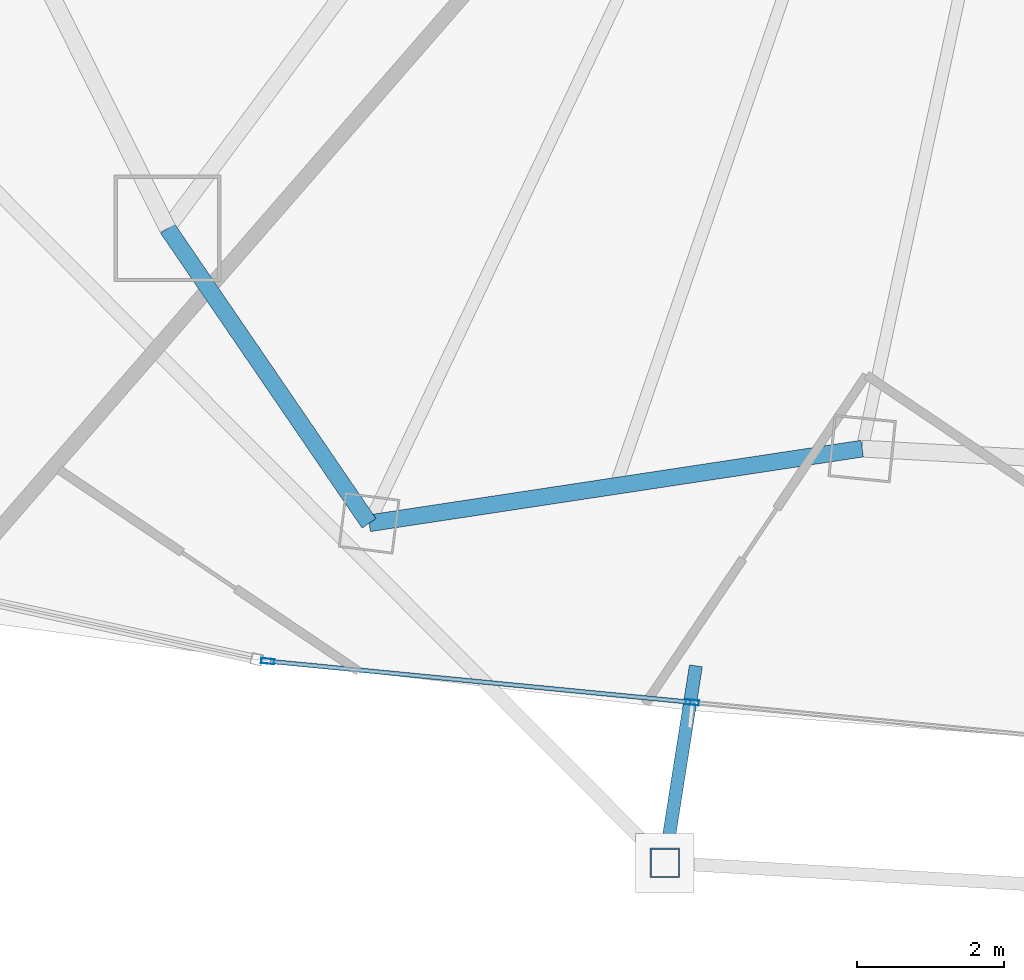
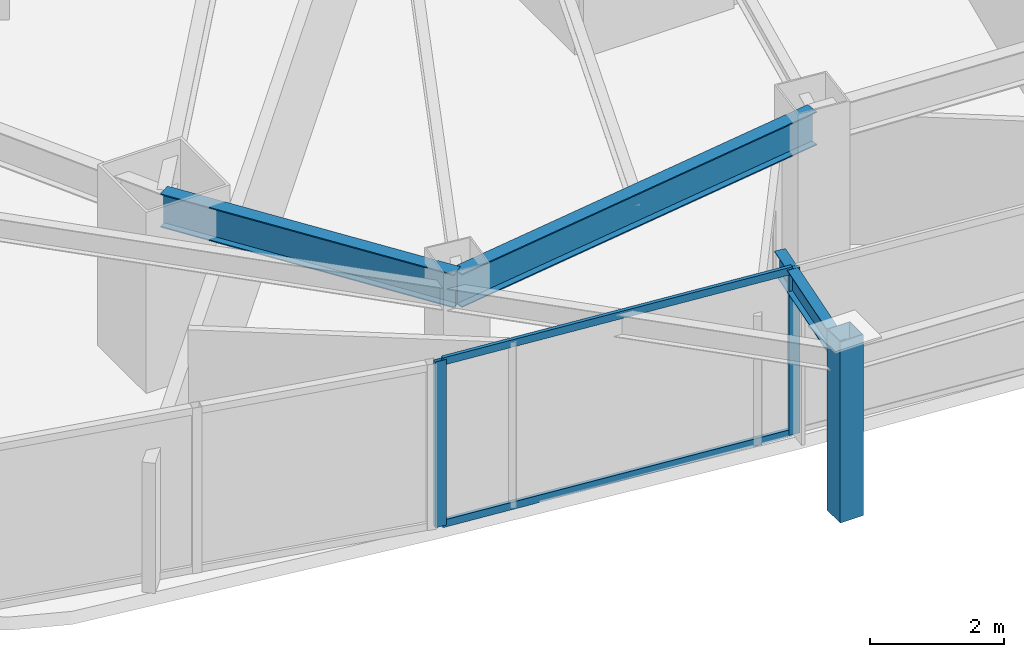
# One storey, part 4 of 30: 5 members, 3 beams, 1 element without a shape of its own.
"""IFC4 building model written with IfcOpenShell, lengths in metres."""

from ifc_helpers import new_model, si_unit, direction, frame, origin, origin_2d, place, context, subcontext, project, spatial, hollow_rectangle, i_section, extrude, material, layer, layer_set, material_profile, profile_set, type_object, element, aggregate, save


model = new_model("IFC4")

# Units and contexts
model_context = context("Model", 3, precision=1e-05, world=origin(), true_north=direction((0.0, 1.0)))
body_context = subcontext(model_context, "Body", "Model", "MODEL_VIEW")
ifc_project = project(units=[si_unit("LENGTHUNIT", "METRE"), si_unit("AREAUNIT", "SQUARE_METRE"), si_unit("VOLUMEUNIT", "CUBIC_METRE"), si_unit("PLANEANGLEUNIT", "RADIAN"), si_unit("MASSUNIT", "GRAM", prefix="KILO")], contexts=[model_context])

# Site, building, storey
site_placement = place(None, origin())
site = spatial("IfcSite", under=ifc_project, at=site_placement, CompositionType="ELEMENT")
building_placement = place(site_placement, origin())
building = spatial("IfcBuilding", under=site, at=building_placement, Name="Orvanel Arch Residences", CompositionType="ELEMENT")
storey_placement = place(building_placement, frame((0.0, 0.0, 143.0)))
storey = spatial("IfcBuildingStorey", under=building, at=storey_placement, Name="L40", CompositionType="ELEMENT", Elevation=143.0)

# Curtain wall, members
ifc_material_1 = material(Name="Bronze-anodised aluminium AA6063-T6", Category="aluminium")
ifc_layer = layer(ifc_material_1, 0.179931640625)
ifc_layer_set = layer_set([ifc_layer], Name="Bronze-anodised aluminium AA6063-T6")
curtain_wall_type = type_object("IfcCurtainWallType", Name="CW3-MID-SYS", PredefinedType="NOTDEFINED", material=ifc_layer_set)
curtain_wall_placement = place(storey_placement, origin())
curtain_wall = element("IfcCurtainWall", 1, at=curtain_wall_placement, inside=storey, type_object=curtain_wall_type, Name="L40 CW3-MID-SYS Unitised Curtain Wall", PredefinedType="NOTDEFINED")
ifc_material_profile_1 = material_profile(ifc_material_1, hollow_rectangle(XDim=0.070068359375, YDim=0.179931640625, WallThickness=0.00439453125, at=origin_2d()), Name="ALU180x70x4.5")
ifc_profile_set_1 = profile_set([ifc_material_profile_1], Name="Bronze-anodised aluminium AA6063-T6")
member_type_1 = type_object("IfcMemberType", Name="MUL-180x70", PredefinedType="MULLION", material=ifc_profile_set_1)
member_1_placement = place(storey_placement, frame((15.561767578125, 4.463623046875, 0.0), z_axis=(0.0, 0.0, 1.0), x_axis=(0.096603363992, 0.99532295767, 0.0)))
member_1 = element("IfcMember", 2, at=member_1_placement, type_object=member_type_1, Name="CW-S3 mullion 1", PredefinedType="MULLION", context=body_context, shape_type="SweptSolid", body=[
    extrude(hollow_rectangle(XDim=0.070068359375, YDim=0.179931640625, WallThickness=0.00439453125, at=origin_2d()), origin(), (0.0, 0.0, 1.0), 3.02001953125),
])
member_2_placement = place(storey_placement, frame((21.337890625, 3.903076171875, 0.0), z_axis=(0.0, 0.0, 1.0), x_axis=(0.096603363992, 0.99532295767, 0.0)))
member_2 = element("IfcMember", 3, at=member_2_placement, type_object=member_type_1, Name="CW-S3 mullion 2", PredefinedType="MULLION", context=body_context, shape_type="SweptSolid", body=[
    extrude(hollow_rectangle(XDim=0.070068359375, YDim=0.179931640625, WallThickness=0.00439453125, at=origin_2d()), origin(), (0.0, 0.0, 1.0), 3.02001953125),
])

# Beams
ifc_material_2 = material(Name="Structural steel AS/NZS 3679.1 Grade 300 (300 MPa)", Category="steel")
ifc_material_profile_2 = material_profile(ifc_material_2, i_section(OverallWidth=0.177978515625, OverallDepth=0.406005859375, WebThickness=0.0078125, FlangeThickness=0.0126953125, at=origin_2d()), Name="410UB59.7")
ifc_profile_set_2 = profile_set([ifc_material_profile_2], Name="Structural steel AS/NZS 3679.1 Grade 300 (300 MPa)")
beam_type_1 = type_object("IfcBeamType", Name="OB-410UB-EXT", PredefinedType="SPANDREL", material=ifc_profile_set_2)
beam_1_placement = place(storey_placement, frame((21.386962890625, 4.40087890625, 2.81689453125), z_axis=(-0.155800896713, -0.987788479677, 0.0), x_axis=(0.987788479677, -0.155800896713, 0.0)))
element("IfcBeam", 4, at=beam_1_placement, inside=storey, type_object=beam_type_1, Name="L40 Outer Frame Radial Tie Beam 05", PredefinedType="SPANDREL", context=body_context, shape_type="SweptSolid", body=[
    extrude(i_section(OverallWidth=0.177978515625, OverallDepth=0.406005859375, WebThickness=0.0078125, FlangeThickness=0.0126953125, at=origin_2d()), origin(), (0.0, 0.0, 1.0), 2.714111328125),
])
ifc_material_profile_3 = material_profile(ifc_material_2, i_section(OverallWidth=0.22900390625, OverallDepth=0.612060546875, WebThickness=0.011962890625, FlangeThickness=0.01953125, at=origin_2d()), Name="610UB125")
ifc_profile_set_3 = profile_set([ifc_material_profile_3], Name="Structural steel AS/NZS 3679.1 Grade 300 (300 MPa)")
beam_type_2 = type_object("IfcBeamType", Name="SP-610UB", PredefinedType="SPANDREL", material=ifc_profile_set_3)
beam_2_placement = place(storey_placement, frame((14.198974609375, 10.35107421875, 2.714111328125), z_axis=(0.564251579852, -0.825602903722, 0.0), x_axis=(0.825602903722, 0.564251579852, 0.0)))
element("IfcBeam", 5, at=beam_2_placement, inside=storey, type_object=beam_type_2, Name="L40 Perimeter Spandrel Beam 03", PredefinedType="SPANDREL", context=body_context, shape_type="SweptSolid", body=[
    extrude(i_section(OverallWidth=0.22900390625, OverallDepth=0.612060546875, WebThickness=0.011962890625, FlangeThickness=0.01953125, at=origin_2d()), origin(), (0.0, 0.0, 1.0), 4.859375),
])
beam_3_placement = place(storey_placement, frame((16.94091796875, 6.339111328125, 2.714111328125), z_axis=(0.988726323014, 0.149733958002, 0.0), x_axis=(-0.149733958002, 0.988726323014, 0.0)))
element("IfcBeam", 6, at=beam_3_placement, inside=storey, type_object=beam_type_2, Name="L40 Perimeter Spandrel Beam 04", PredefinedType="SPANDREL", context=body_context, shape_type="SweptSolid", body=[
    extrude(i_section(OverallWidth=0.22900390625, OverallDepth=0.612060546875, WebThickness=0.011962890625, FlangeThickness=0.01953125, at=origin_2d()), origin(), (0.0, 0.0, 1.0), 6.784423828125),
])

# Member
ifc_material_3 = material(Name="Structural steel AS/NZS 1163 C450L0 (Grade 450)", Category="steel")
ifc_material_profile_4 = material_profile(ifc_material_3, hollow_rectangle(XDim=0.39990234375, YDim=0.39990234375, WallThickness=0.01611328125, at=origin_2d()), Name="SHS400x400x16")
ifc_profile_set_4 = profile_set([ifc_material_profile_4], Name="Structural steel AS/NZS 1163 C450L0 (Grade 450)")
member_type_2 = type_object("IfcMemberType", Name="ST-400SHS-EXT", PredefinedType="STRUT", material=ifc_profile_set_4)
member_3_placement = place(storey_placement, frame((20.964111328125, 1.719970703125, 0.0), z_axis=(0.0, 0.0, 1.0), x_axis=(1.0, 0.0, 0.0)))
element("IfcMember", 7, at=member_3_placement, inside=storey, type_object=member_type_2, Name="L40 Outer Perimeter Frame Post 05", PredefinedType="STRUT", context=body_context, shape_type="SweptSolid", body=[
    extrude(hollow_rectangle(XDim=0.39990234375, YDim=0.39990234375, WallThickness=0.01611328125, at=origin_2d()), origin(), (0.0, 0.0, 1.0), 3.300048828125),
])

ifc_material_profile_5 = material_profile(ifc_material_1, hollow_rectangle(XDim=0.06005859375, YDim=0.135009765625, WallThickness=0.00390625, at=origin_2d()), Name="ALU135x60x4")
ifc_profile_set_5 = profile_set([ifc_material_profile_5], Name="Bronze-anodised aluminium AA6063-T6")
member_type_3 = type_object("IfcMemberType", Name="TRN-135x60", PredefinedType="USERDEFINED", material=ifc_profile_set_5)
member_4_placement = place(storey_placement, frame((15.5966796875, 4.460205078125, 0.030029296875), z_axis=(0.995325485405, -0.096577316715, 0.0), x_axis=(0.096577316715, 0.995325485405, 0.0)))
member_4 = element("IfcMember", 8, at=member_4_placement, type_object=member_type_3, Name="CW-S3 transom 1.1", ObjectType="TRANSOM", PredefinedType="USERDEFINED", context=body_context, shape_type="SweptSolid", body=[
    extrude(hollow_rectangle(XDim=0.06005859375, YDim=0.135009765625, WallThickness=0.00390625, at=origin_2d()), origin(), (0.0, 0.0, 1.0), 5.7333984375),
])

member_5_placement = place(storey_placement, frame((15.5966796875, 4.460205078125, 2.989990234375), z_axis=(0.995325485405, -0.096577316715, 0.0), x_axis=(0.096577316715, 0.995325485405, 0.0)))
member_5 = element("IfcMember", 9, at=member_5_placement, type_object=member_type_3, Name="CW-S3 transom 1.2", ObjectType="TRANSOM", PredefinedType="USERDEFINED", context=body_context, shape_type="SweptSolid", body=[
    extrude(hollow_rectangle(XDim=0.06005859375, YDim=0.135009765625, WallThickness=0.00390625, at=origin_2d()), origin(), (0.0, 0.0, 1.0), 5.7333984375),
])

aggregate(curtain_wall, [member_1, member_2, member_4, member_5])

save(model, "model.ifc")
